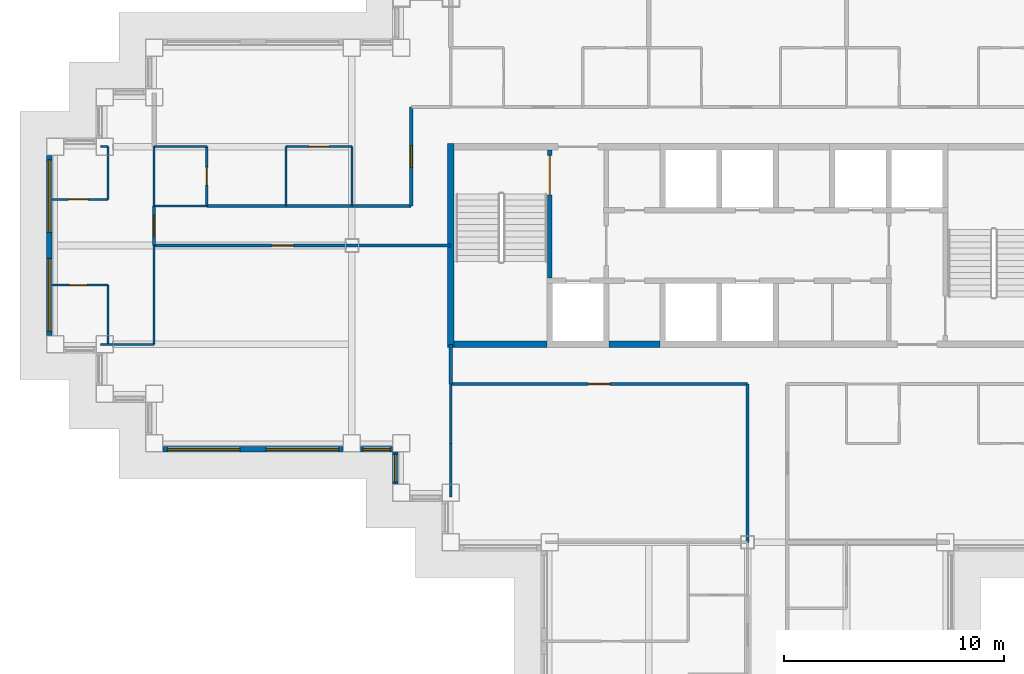
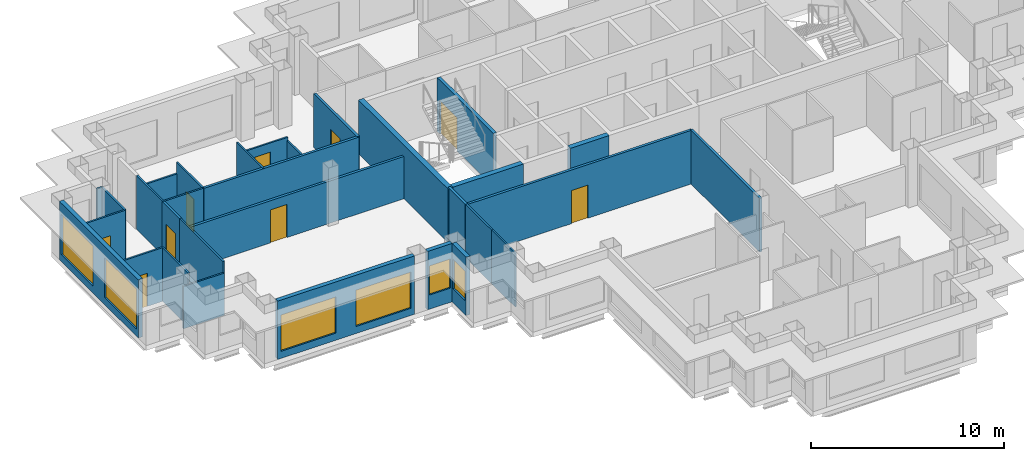
# One storey, part 4 of 13: 31 walls, 9 doors, 6 windows, 15 openings.
"""IFC4 building model written with IfcOpenShell, lengths in metres."""

from ifc_helpers import new_model, si_unit, direction, frame, frame_2d, origin, place, context, subcontext, project, spatial, rectangle, extrude, material, layer, layer_set, type_object, element, fill, save


model = new_model("IFC4")

# Units and contexts
model_context = context("Model", 3, precision=1e-05, world=origin(), true_north=direction((0.0, 1.0)))
body_context = subcontext(model_context, "Body", "Model", "MODEL_VIEW")
ifc_project = project(units=[si_unit("LENGTHUNIT", "METRE"), si_unit("AREAUNIT", "SQUARE_METRE"), si_unit("VOLUMEUNIT", "CUBIC_METRE"), si_unit("PLANEANGLEUNIT", "RADIAN"), si_unit("MASSUNIT", "GRAM", prefix="KILO")], contexts=[model_context])

# Site, building, storey
site_placement = place(None, origin())
site = spatial("IfcSite", under=ifc_project, at=site_placement, CompositionType="ELEMENT")
building_placement = place(site_placement, origin())
building = spatial("IfcBuilding", under=site, at=building_placement, Name="Caravel Reach Hotel and Residences", CompositionType="ELEMENT")
storey_placement = place(building_placement, frame((0.0, 0.0, 158.0)))
storey = spatial("IfcBuildingStorey", under=building, at=storey_placement, Name="L39", CompositionType="ELEMENT", Elevation=158.0)

# Wall, opening, door
ifc_material_1 = material(Name="Gypsum board on steel stud", Category="steel")
ifc_layer_1 = layer(ifc_material_1, 0.10009765625)
ifc_layer_set_1 = layer_set([ifc_layer_1], Name="Bathroom pod wall 100 mm")
wall_type_1 = type_object("IfcWallType", Name="Bathroom pod wall 100 mm", PredefinedType="PARTITIONING", material=ifc_layer_set_1)
wall_1_placement = place(storey_placement, frame((-0.14990234375, 25.199951171875, 0.0), z_axis=(0.0, 0.0, 1.0), x_axis=(1.0, 0.0, 0.0)))
wall_1 = element("IfcWall", 1, at=wall_1_placement, inside=storey, type_object=wall_type_1, Name="L39 wall w086", PredefinedType="PARTITIONING", context=body_context, shape_type="SweptSolid", body=[
    extrude(rectangle(XDim=2.5498046875, YDim=0.10009765625, at=frame_2d((1.27490234375, 0.0))), origin(), (0.0, 0.0, 1.0), 3.39990234375),
])
opening_1_placement = place(wall_1_placement, frame((0.800048828125, 0.0, 0.0)))
opening_1 = element("IfcOpeningElement", 2, at=opening_1_placement, cuts=wall_1, Name="Opening D39-047", PredefinedType="OPENING", context=body_context, shape_type="SweptSolid", body=[
    extrude(rectangle(XDim=0.800048828125, YDim=2.10009765625, at=frame_2d((0.39990234375, 1.050048828125))), frame((0.0, 0.06005859375, 0.0), z_axis=(0.0, -1.0, 0.0), x_axis=(1.0, 0.0, 0.0)), (0.0, 0.0, 1.0), 0.1201171875),
])
ifc_material_2 = material(Name="Timber and steel door leaf", Category="steel")
door_type_1 = type_object("IfcDoorType", Name="Bathroom door 800 x 2100", OperationType="SINGLE_SWING_LEFT", PredefinedType="DOOR", material=ifc_material_2)
door_1_placement = place(opening_1_placement, origin())
door_1 = element("IfcDoor", 3, at=door_1_placement, inside=storey, type_object=door_type_1, Name="door D39-047", OperationType="SINGLE_SWING_RIGHT", OverallHeight=2.10009765625, OverallWidth=0.800048828125, PredefinedType="DOOR", context=body_context, shape_type="SweptSolid", body=[
    extrude(rectangle(XDim=0.800048828125, YDim=2.10009765625, at=frame_2d((0.39990234375, 1.050048828125))), frame((0.0, 0.02490234375, 0.0), z_axis=(0.0, -1.0, 0.0), x_axis=(1.0, 0.0, 0.0)), (0.0, 0.0, 1.0), 0.050048828125),
])
fill(opening_1, door_1)

# Walls
wall_2_placement = place(storey_placement, frame((4.5, 28.800048828125, 0.0), z_axis=(0.0, 0.0, 1.0), x_axis=(1.0, 0.0, 0.0)))
element("IfcWall", 4, at=wall_2_placement, inside=storey, type_object=wall_type_1, Name="L39 wall w087", PredefinedType="PARTITIONING", context=body_context, shape_type="SweptSolid", body=[
    extrude(rectangle(XDim=2.39990234375, YDim=0.10009765625, at=frame_2d((1.199951171875, 0.0))), origin(), (0.0, 0.0, 1.0), 3.39990234375),
])
wall_3_placement = place(storey_placement, frame((4.5, 31.5, 0.0), z_axis=(0.0, 0.0, 1.0), x_axis=(1.0, 0.0, 0.0)))
element("IfcWall", 5, at=wall_3_placement, inside=storey, type_object=wall_type_1, Name="L39 wall w088", PredefinedType="PARTITIONING", context=body_context, shape_type="SweptSolid", body=[
    extrude(rectangle(XDim=2.39990234375, YDim=0.10009765625, at=frame_2d((1.199951171875, 0.0))), origin(), (0.0, 0.0, 1.0), 2.679931640625),
])
for number, where, z_axis, x_axis, name in (
    (6, (2.39990234375, 22.5, 0.0), (0.0, 0.0, 1.0), (0.0, 1.0, 0.0), "L39 wall w098"),
    (7, (4.5, 28.800048828125, 0.0), (0.0, 0.0, 1.0), (0.0, 1.0, 0.0), "L39 wall w110"),
):
    element("IfcWall", number, at=place(storey_placement, frame(where, z_axis=z_axis, x_axis=x_axis)), inside=storey, type_object=wall_type_1, Name=name, PredefinedType="PARTITIONING", context=body_context, shape_type="SweptSolid", body=[
        extrude(rectangle(XDim=2.699951171875, YDim=0.10009765625, at=frame_2d((1.35009765625, 0.0))), origin(), (0.0, 0.0, 1.0), 3.39990234375),
    ])

# Wall, opening, door
wall_4_placement = place(storey_placement, frame((6.89990234375, 28.800048828125, 0.0), z_axis=(0.0, 0.0, 1.0), x_axis=(0.0, 1.0, 0.0)))
wall_4 = element("IfcWall", 8, at=wall_4_placement, inside=storey, type_object=wall_type_1, Name="L39 wall w113", PredefinedType="PARTITIONING", context=body_context, shape_type="SweptSolid", body=[
    extrude(rectangle(XDim=2.699951171875, YDim=0.10009765625, at=frame_2d((1.35009765625, 0.0))), origin(), (0.0, 0.0, 1.0), 3.39990234375),
])
opening_2_placement = place(wall_4_placement, frame((0.949951171875, 0.0, 0.0)))
opening_2 = element("IfcOpeningElement", 9, at=opening_2_placement, cuts=wall_4, Name="Opening D39-027", PredefinedType="OPENING", context=body_context, shape_type="SweptSolid", body=[
    extrude(rectangle(XDim=0.800048828125, YDim=2.10009765625, at=frame_2d((0.39990234375, 1.050048828125))), frame((0.0, 0.06005859375, 0.0), z_axis=(0.0, -1.0, 0.0), x_axis=(1.0, 0.0, 0.0)), (0.0, 0.0, 1.0), 0.1201171875),
])
door_2_placement = place(opening_2_placement, origin())
door_2 = element("IfcDoor", 10, at=door_2_placement, inside=storey, type_object=door_type_1, Name="door D39-027", OperationType="SINGLE_SWING_RIGHT", OverallHeight=2.10009765625, OverallWidth=0.800048828125, PredefinedType="DOOR", context=body_context, shape_type="SweptSolid", body=[
    extrude(rectangle(XDim=0.800048828125, YDim=2.10009765625, at=frame_2d((0.39990234375, 1.050048828125))), frame((0.0, 0.02490234375, 0.0), z_axis=(0.0, -1.0, 0.0), x_axis=(1.0, 0.0, 0.0)), (0.0, 0.0, 1.0), 0.050048828125),
])
fill(opening_2, door_2)

# Walls
ifc_material_3 = material(Name="Concrete C60", Category="concrete")
ifc_layer_2 = layer(ifc_material_3, 0.300048828125)
ifc_layer_set_2 = layer_set([ifc_layer_2], Name="Core wall 300 mm EI 120")
wall_type_2 = type_object("IfcWallType", Name="Core wall 300 mm EI 120", PredefinedType="SHEAR", material=ifc_layer_set_2)
wall_5_placement = place(storey_placement, frame((18.14990234375, 22.5, 0.0), z_axis=(0.0, 0.0, 1.0), x_axis=(1.0, 0.0, 0.0)))
element("IfcWall", 11, at=wall_5_placement, inside=storey, type_object=wall_type_2, Name="L39 core wall S1", PredefinedType="SHEAR", context=body_context, shape_type="SweptSolid", body=[
    extrude(rectangle(XDim=4.22509765625, YDim=0.300048828125, at=frame_2d((2.112548828125, 0.0))), origin(), (0.0, 0.0, 1.0), 3.39990234375),
])
wall_6_placement = place(storey_placement, frame((25.196533203125, 22.5, 0.0), z_axis=(0.0, 0.0, 1.0), x_axis=(1.0, 0.0, 0.0)))
element("IfcWall", 12, at=wall_6_placement, inside=storey, type_object=wall_type_2, Name="L39 core wall S2", PredefinedType="SHEAR", context=body_context, shape_type="SweptSolid", body=[
    extrude(rectangle(XDim=2.3212890625, YDim=0.300048828125, at=frame_2d((1.16064453125, 0.0))), origin(), (0.0, 0.0, 1.0), 3.39990234375),
])
wall_7_placement = place(storey_placement, frame((18.0, 22.35009765625, 0.0), z_axis=(0.0, 0.0, 1.0), x_axis=(0.0, 1.0, 0.0)))
element("IfcWall", 13, at=wall_7_placement, inside=storey, type_object=wall_type_2, Name="L39 core wall W", PredefinedType="SHEAR", context=body_context, shape_type="SweptSolid", body=[
    extrude(rectangle(XDim=9.2998046875, YDim=0.300048828125, at=frame_2d((4.64990234375, 0.0))), origin(), (0.0, 0.0, 1.0), 3.39990234375),
])

# Wall, opening, door
ifc_material_4 = material(Name="Gypsum board on steel stud, fire-rated", Category="steel")
ifc_layer_3 = layer(ifc_material_4, 0.14990234375)
ifc_layer_set_3 = layer_set([ifc_layer_3], Name="Corridor wall 150 mm EI 60")
wall_type_3 = type_object("IfcWallType", Name="Corridor wall 150 mm EI 60", PredefinedType="PARTITIONING", material=ifc_layer_set_3)
wall_8_placement = place(storey_placement, frame((18.0, 20.699951171875, 0.0), z_axis=(0.0, 0.0, 1.0), x_axis=(1.0, 0.0, 0.0)))
wall_8 = element("IfcWall", 14, at=wall_8_placement, inside=storey, type_object=wall_type_3, Name="L39 wall w005", PredefinedType="PARTITIONING", context=body_context, shape_type="SweptSolid", body=[
    extrude(rectangle(XDim=13.5, YDim=0.14990234375, at=frame_2d((6.75, 0.0))), origin(), (0.0, 0.0, 1.0), 3.39990234375),
])
opening_3_placement = place(wall_8_placement, frame((6.25, 0.0, 0.0)))
opening_3 = element("IfcOpeningElement", 15, at=opening_3_placement, cuts=wall_8, Name="Opening D39-035", PredefinedType="OPENING", context=body_context, shape_type="SweptSolid", body=[
    extrude(rectangle(XDim=1.0, YDim=2.10009765625, at=frame_2d((0.5, 1.050048828125))), frame((0.0, 0.0849609375, 0.0), z_axis=(0.0, -1.0, 0.0), x_axis=(1.0, 0.0, 0.0)), (0.0, 0.0, 1.0), 0.169921875),
])
ifc_material_5 = material(Name="Steel fire door leaf", Category="steel")
door_type_2 = type_object("IfcDoorType", Name="Fire door 1000 x 2100 EI 60", OperationType="SINGLE_SWING_LEFT", PredefinedType="DOOR", material=ifc_material_5)
door_3_placement = place(opening_3_placement, origin())
door_3 = element("IfcDoor", 16, at=door_3_placement, inside=storey, type_object=door_type_2, Name="door D39-035", OperationType="SINGLE_SWING_RIGHT", OverallHeight=2.10009765625, OverallWidth=1.0, PredefinedType="DOOR", context=body_context, shape_type="SweptSolid", body=[
    extrude(rectangle(XDim=1.0, YDim=2.10009765625, at=frame_2d((0.5, 1.050048828125))), frame((0.0, 0.02490234375, 0.0), z_axis=(0.0, -1.0, 0.0), x_axis=(1.0, 0.0, 0.0)), (0.0, 0.0, 1.0), 0.050048828125),
])
fill(opening_3, door_3)

wall_9_placement = place(storey_placement, frame((4.5, 27.0, 0.0), z_axis=(0.0, 0.0, 1.0), x_axis=(1.0, 0.0, 0.0)))
wall_9 = element("IfcWall", 17, at=wall_9_placement, inside=storey, type_object=wall_type_3, Name="L39 wall w009", PredefinedType="PARTITIONING", context=body_context, shape_type="SweptSolid", body=[
    extrude(rectangle(XDim=13.5, YDim=0.14990234375, at=frame_2d((6.75, 0.0))), origin(), (0.0, 0.0, 1.0), 2.679931640625),
])
opening_4_placement = place(wall_9_placement, frame((5.35009765625, 0.0, 0.0)))
opening_4 = element("IfcOpeningElement", 18, at=opening_4_placement, cuts=wall_9, Name="Opening D39-029", PredefinedType="OPENING", context=body_context, shape_type="SweptSolid", body=[
    extrude(rectangle(XDim=1.0, YDim=2.10009765625, at=frame_2d((0.5, 1.050048828125))), frame((0.0, 0.0849609375, 0.0), z_axis=(0.0, -1.0, 0.0), x_axis=(1.0, 0.0, 0.0)), (0.0, 0.0, 1.0), 0.169921875),
])
door_4_placement = place(opening_4_placement, origin())
door_4 = element("IfcDoor", 19, at=door_4_placement, inside=storey, type_object=door_type_2, Name="door D39-029", OperationType="SINGLE_SWING_LEFT", OverallHeight=2.10009765625, OverallWidth=1.0, PredefinedType="DOOR", context=body_context, shape_type="SweptSolid", body=[
    extrude(rectangle(XDim=1.0, YDim=2.10009765625, at=frame_2d((0.5, 1.050048828125))), frame((0.0, 0.02490234375, 0.0), z_axis=(0.0, -1.0, 0.0), x_axis=(1.0, 0.0, 0.0)), (0.0, 0.0, 1.0), 0.050048828125),
])
fill(opening_4, door_4)

# Wall
wall_10_placement = place(storey_placement, frame((6.89990234375, 28.800048828125, 0.0), z_axis=(0.0, 0.0, 1.0), x_axis=(1.0, 0.0, 0.0)))
element("IfcWall", 20, at=wall_10_placement, inside=storey, type_object=wall_type_3, Name="L39 wall w011", PredefinedType="PARTITIONING", context=body_context, shape_type="SweptSolid", body=[
    extrude(rectangle(XDim=9.299072265625, YDim=0.14990234375, at=frame_2d((4.6494140625, 0.0))), origin(), (0.0, 0.0, 1.0), 3.39990234375),
])

# Wall, opening, door
wall_11_placement = place(storey_placement, frame((16.199951171875, 28.801025390625, 0.0), z_axis=(0.0, 0.0, 1.0), x_axis=(0.0, 1.0, 0.0)))
wall_11 = element("IfcWall", 21, at=wall_11_placement, inside=storey, type_object=wall_type_3, Name="L39 wall w022", PredefinedType="PARTITIONING", context=body_context, shape_type="SweptSolid", body=[
    extrude(rectangle(XDim=4.4990234375, YDim=0.14990234375, at=frame_2d((2.24951171875, 0.0))), origin(), (0.0, 0.0, 1.0), 3.39990234375),
])
opening_5_placement = place(wall_11_placement, frame((1.74951171875, 0.0, 0.0)))
opening_5 = element("IfcOpeningElement", 22, at=opening_5_placement, cuts=wall_11, Name="Opening D39-026", PredefinedType="OPENING", context=body_context, shape_type="SweptSolid", body=[
    extrude(rectangle(XDim=1.0, YDim=2.199951171875, at=frame_2d((0.5, 1.10009765625))), frame((0.0, 0.0849609375, 0.0), z_axis=(0.0, -1.0, 0.0), x_axis=(1.0, 0.0, 0.0)), (0.0, 0.0, 1.0), 0.169921875),
])
ifc_material_6 = material(Name="Steel fire door leaf", Category="steel")
door_type_3 = type_object("IfcDoorType", Name="Flat entrance door 1000 x 2200 EI 60", OperationType="SINGLE_SWING_LEFT", PredefinedType="DOOR", material=ifc_material_6)
door_5_placement = place(opening_5_placement, origin())
door_5 = element("IfcDoor", 23, at=door_5_placement, inside=storey, type_object=door_type_3, Name="door D39-026", OperationType="SINGLE_SWING_LEFT", OverallHeight=2.199951171875, OverallWidth=1.0, PredefinedType="DOOR", context=body_context, shape_type="SweptSolid", body=[
    extrude(rectangle(XDim=1.0, YDim=2.199951171875, at=frame_2d((0.5, 1.10009765625))), frame((0.0, 0.02490234375, 0.0), z_axis=(0.0, -1.0, 0.0), x_axis=(1.0, 0.0, 0.0)), (0.0, 0.0, 1.0), 0.050048828125),
])
fill(opening_5, door_5)

# Walls
wall_12_placement = place(storey_placement, frame((18.0, 20.699951171875, 0.0), z_axis=(0.0, 0.0, 1.0), x_axis=(0.0, 1.0, 0.0)))
element("IfcWall", 24, at=wall_12_placement, inside=storey, type_object=wall_type_3, Name="L39 wall w023", PredefinedType="PARTITIONING", context=body_context, shape_type="SweptSolid", body=[
    extrude(rectangle(XDim=1.800048828125, YDim=0.14990234375, at=frame_2d((0.89990234375, 0.0))), origin(), (0.0, 0.0, 1.0), 3.39990234375),
])
wall_13_placement = place(storey_placement, frame((31.5, 13.5, 0.0), z_axis=(0.0, 0.0, 1.0), x_axis=(0.0, 1.0, 0.0)))
element("IfcWall", 25, at=wall_13_placement, inside=storey, type_object=wall_type_3, Name="L39 wall w026", PredefinedType="PARTITIONING", context=body_context, shape_type="SweptSolid", body=[
    extrude(rectangle(XDim=7.199951171875, YDim=0.14990234375, at=frame_2d((3.60009765625, 0.0))), origin(), (0.0, 0.0, 1.0), 3.39990234375),
])

# Wall, opening, door
wall_14_placement = place(storey_placement, frame((4.5, 27.0, 0.0), z_axis=(0.0, 0.0, 1.0), x_axis=(0.0, 1.0, 0.0)))
wall_14 = element("IfcWall", 26, at=wall_14_placement, inside=storey, type_object=wall_type_3, Name="L39 wall w030", PredefinedType="PARTITIONING", context=body_context, shape_type="SweptSolid", body=[
    extrude(rectangle(XDim=1.800048828125, YDim=0.14990234375, at=frame_2d((0.89990234375, 0.0))), origin(), (0.0, 0.0, 1.0), 3.39990234375),
])
opening_6_placement = place(wall_14_placement, frame((0.39990234375, 0.0, 0.0)))
opening_6 = element("IfcOpeningElement", 27, at=opening_6_placement, cuts=wall_14, Name="Opening D39-046", PredefinedType="OPENING", context=body_context, shape_type="SweptSolid", body=[
    extrude(rectangle(XDim=1.0, YDim=2.199951171875, at=frame_2d((0.5, 1.10009765625))), frame((0.0, 0.0849609375, 0.0), z_axis=(0.0, -1.0, 0.0), x_axis=(1.0, 0.0, 0.0)), (0.0, 0.0, 1.0), 0.169921875),
])
door_6_placement = place(opening_6_placement, origin())
door_6 = element("IfcDoor", 28, at=door_6_placement, inside=storey, type_object=door_type_3, Name="door D39-046", OperationType="SINGLE_SWING_RIGHT", OverallHeight=2.199951171875, OverallWidth=1.0, PredefinedType="DOOR", context=body_context, shape_type="SweptSolid", body=[
    extrude(rectangle(XDim=1.0, YDim=2.199951171875, at=frame_2d((0.5, 1.10009765625))), frame((0.0, 0.02490234375, 0.0), z_axis=(0.0, -1.0, 0.0), x_axis=(1.0, 0.0, 0.0)), (0.0, 0.0, 1.0), 0.050048828125),
])
fill(opening_6, door_6)

# Wall, openings, windows
ifc_material_7 = material(Name="Insulated rainscreen wall, aluminium cladding", Category="aluminium")
ifc_layer_4 = layer(ifc_material_7, 0.25)
ifc_layer_set_4 = layer_set([ifc_layer_4], Name="EW1 Tower rainscreen wall")
wall_type_4 = type_object("IfcWallType", Name="EW1 Tower rainscreen wall", PredefinedType="SOLIDWALL", material=ifc_layer_set_4)
wall_15_placement = place(storey_placement, frame((-0.27490234375, 31.10009765625, 0.0), z_axis=(0.0, 0.0, 1.0), x_axis=(0.0, -1.0, 0.0)))
wall_15 = element("IfcWall", 29, at=wall_15_placement, inside=storey, type_object=wall_type_4, Name="External wall L39 W38.1", PredefinedType="SOLIDWALL", context=body_context, shape_type="SweptSolid", body=[
    extrude(rectangle(XDim=8.2001953125, YDim=0.25, at=frame_2d((4.10009765625, 0.0))), origin(), (0.0, 0.0, 1.0), 3.699951171875),
])
opening_7_placement = place(wall_15_placement, frame((0.199951171875, 0.0, 0.449951171875)))
opening_7 = element("IfcOpeningElement", 30, at=opening_7_placement, cuts=wall_15, Name="Opening WN14", PredefinedType="OPENING", context=body_context, shape_type="SweptSolid", body=[
    extrude(rectangle(XDim=3.300048828125, YDim=2.530029296875, at=frame_2d((1.64990234375, 1.26513671875))), frame((0.0, 0.135009765625, 0.0), z_axis=(0.0, -1.0, 0.0), x_axis=(1.0, 0.0, 0.0)), (0.0, 0.0, 1.0), 0.27001953125),
])
opening_8_placement = place(wall_15_placement, frame((4.699951171875, 0.0, 0.449951171875)))
opening_8 = element("IfcOpeningElement", 31, at=opening_8_placement, cuts=wall_15, Name="Opening WN14", PredefinedType="OPENING", context=body_context, shape_type="SweptSolid", body=[
    extrude(rectangle(XDim=3.300048828125, YDim=2.530029296875, at=frame_2d((1.64990234375, 1.26513671875))), frame((0.0, 0.135009765625, 0.0), z_axis=(0.0, -1.0, 0.0), x_axis=(1.0, 0.0, 0.0)), (0.0, 0.0, 1.0), 0.27001953125),
])
ifc_material_8 = material(Name="Dark low-e glazing in black aluminium frame", Category="aluminium")
window_type_1 = type_object("IfcWindowType", Name="Residence living window 3300 x 2530", PartitioningType="SINGLE_PANEL", PredefinedType="WINDOW", material=ifc_material_8)
window_1_placement = place(opening_7_placement, origin())
window_1 = element("IfcWindow", 32, at=window_1_placement, inside=storey, type_object=window_type_1, Name="Window L39 W38.1.1", OverallHeight=2.530029296875, OverallWidth=3.300048828125, PartitioningType="SINGLE_PANEL", PredefinedType="WINDOW", context=body_context, shape_type="SweptSolid", body=[
    extrude(rectangle(XDim=3.300048828125, YDim=2.530029296875, at=frame_2d((1.64990234375, 1.26513671875))), frame((0.0, 0.030029296875, 0.0), z_axis=(0.0, -1.0, 0.0), x_axis=(1.0, 0.0, 0.0)), (0.0, 0.0, 1.0), 0.06005859375),
])
fill(opening_7, window_1)
window_2_placement = place(opening_8_placement, origin())
window_2 = element("IfcWindow", 33, at=window_2_placement, inside=storey, type_object=window_type_1, Name="Window L39 W38.1.2", OverallHeight=2.530029296875, OverallWidth=3.300048828125, PartitioningType="SINGLE_PANEL", PredefinedType="WINDOW", context=body_context, shape_type="SweptSolid", body=[
    extrude(rectangle(XDim=3.300048828125, YDim=2.530029296875, at=frame_2d((1.64990234375, 1.26513671875))), frame((0.0, 0.030029296875, 0.0), z_axis=(0.0, -1.0, 0.0), x_axis=(1.0, 0.0, 0.0)), (0.0, 0.0, 1.0), 0.06005859375),
])
fill(opening_8, window_2)

wall_16_placement = place(storey_placement, frame((4.89990234375, 17.72509765625, 0.0), z_axis=(0.0, 0.0, 1.0), x_axis=(1.0, 0.0, 0.0)))
wall_16 = element("IfcWall", 34, at=wall_16_placement, inside=storey, type_object=wall_type_4, Name="External wall L39 S43.1", PredefinedType="SOLIDWALL", context=body_context, shape_type="SweptSolid", body=[
    extrude(rectangle(XDim=8.2001953125, YDim=0.25, at=frame_2d((4.10009765625, 0.0))), origin(), (0.0, 0.0, 1.0), 3.699951171875),
])
opening_9_placement = place(wall_16_placement, frame((0.199951171875, 0.0, 0.449951171875)))
opening_9 = element("IfcOpeningElement", 35, at=opening_9_placement, cuts=wall_16, Name="Opening WN15", PredefinedType="OPENING", context=body_context, shape_type="SweptSolid", body=[
    extrude(rectangle(XDim=3.300048828125, YDim=2.300048828125, at=frame_2d((1.64990234375, 1.14990234375))), frame((0.0, 0.135009765625, 0.0), z_axis=(0.0, -1.0, 0.0), x_axis=(1.0, 0.0, 0.0)), (0.0, 0.0, 1.0), 0.27001953125),
])
opening_10_placement = place(wall_16_placement, frame((4.699951171875, 0.0, 0.449951171875)))
opening_10 = element("IfcOpeningElement", 36, at=opening_10_placement, cuts=wall_16, Name="Opening WN15", PredefinedType="OPENING", context=body_context, shape_type="SweptSolid", body=[
    extrude(rectangle(XDim=3.300048828125, YDim=2.300048828125, at=frame_2d((1.64990234375, 1.14990234375))), frame((0.0, 0.135009765625, 0.0), z_axis=(0.0, -1.0, 0.0), x_axis=(1.0, 0.0, 0.0)), (0.0, 0.0, 1.0), 0.27001953125),
])
ifc_material_9 = material(Name="Dark low-e glazing in black aluminium frame", Category="aluminium")
window_type_2 = type_object("IfcWindowType", Name="Residence living window 3300 x 2300", PartitioningType="SINGLE_PANEL", PredefinedType="WINDOW", material=ifc_material_9)
window_3_placement = place(opening_9_placement, origin())
window_3 = element("IfcWindow", 37, at=window_3_placement, inside=storey, type_object=window_type_2, Name="Window L39 S43.1.1", OverallHeight=2.300048828125, OverallWidth=3.300048828125, PartitioningType="SINGLE_PANEL", PredefinedType="WINDOW", context=body_context, shape_type="SweptSolid", body=[
    extrude(rectangle(XDim=3.300048828125, YDim=2.300048828125, at=frame_2d((1.64990234375, 1.14990234375))), frame((0.0, 0.030029296875, 0.0), z_axis=(0.0, -1.0, 0.0), x_axis=(1.0, 0.0, 0.0)), (0.0, 0.0, 1.0), 0.06005859375),
])
fill(opening_9, window_3)
window_4_placement = place(opening_10_placement, origin())
window_4 = element("IfcWindow", 38, at=window_4_placement, inside=storey, type_object=window_type_2, Name="Window L39 S43.1.2", OverallHeight=2.300048828125, OverallWidth=3.300048828125, PartitioningType="SINGLE_PANEL", PredefinedType="WINDOW", context=body_context, shape_type="SweptSolid", body=[
    extrude(rectangle(XDim=3.300048828125, YDim=2.300048828125, at=frame_2d((1.64990234375, 1.14990234375))), frame((0.0, 0.030029296875, 0.0), z_axis=(0.0, -1.0, 0.0), x_axis=(1.0, 0.0, 0.0)), (0.0, 0.0, 1.0), 0.06005859375),
])
fill(opening_10, window_4)

# Wall, opening, window
wall_17_placement = place(storey_placement, frame((13.89990234375, 17.72509765625, 0.0), z_axis=(0.0, 0.0, 1.0), x_axis=(1.0, 0.0, 0.0)))
wall_17 = element("IfcWall", 39, at=wall_17_placement, inside=storey, type_object=wall_type_4, Name="External wall L39 S43.2", PredefinedType="SOLIDWALL", context=body_context, shape_type="SweptSolid", body=[
    extrude(rectangle(XDim=1.4501953125, YDim=0.25, at=frame_2d((0.72509765625, 0.0))), origin(), (0.0, 0.0, 1.0), 3.699951171875),
])
opening_11_placement = place(wall_17_placement, frame((0.10009765625, 0.0, 0.89990234375)))
opening_11 = element("IfcOpeningElement", 40, at=opening_11_placement, cuts=wall_17, Name="Opening WN13", PredefinedType="OPENING", context=body_context, shape_type="SweptSolid", body=[
    extrude(rectangle(XDim=1.25, YDim=1.85009765625, at=frame_2d((0.625, 0.925048828125))), frame((0.0, 0.135009765625, 0.0), z_axis=(0.0, -1.0, 0.0), x_axis=(1.0, 0.0, 0.0)), (0.0, 0.0, 1.0), 0.27001953125),
])
ifc_material_10 = material(Name="Dark low-e glazing in black aluminium frame", Category="aluminium")
window_type_3 = type_object("IfcWindowType", Name="Residence bedroom window 1250 x 1850", PartitioningType="SINGLE_PANEL", PredefinedType="WINDOW", material=ifc_material_10)
window_5_placement = place(opening_11_placement, origin())
window_5 = element("IfcWindow", 41, at=window_5_placement, inside=storey, type_object=window_type_3, Name="Window L39 S43.2.1", OverallHeight=1.85009765625, OverallWidth=1.25, PartitioningType="SINGLE_PANEL", PredefinedType="WINDOW", context=body_context, shape_type="SweptSolid", body=[
    extrude(rectangle(XDim=1.25, YDim=1.85009765625, at=frame_2d((0.625, 0.925048828125))), frame((0.0, 0.030029296875, 0.0), z_axis=(0.0, -1.0, 0.0), x_axis=(1.0, 0.0, 0.0)), (0.0, 0.0, 1.0), 0.06005859375),
])
fill(opening_11, window_5)

wall_18_placement = place(storey_placement, frame((15.47509765625, 17.60009765625, 0.0), z_axis=(0.0, 0.0, 1.0), x_axis=(0.0, -1.0, 0.0)))
wall_18 = element("IfcWall", 42, at=wall_18_placement, inside=storey, type_object=wall_type_4, Name="External wall L39 W44.1", PredefinedType="SOLIDWALL", context=body_context, shape_type="SweptSolid", body=[
    extrude(rectangle(XDim=1.4501953125, YDim=0.25, at=frame_2d((0.72509765625, 0.0))), origin(), (0.0, 0.0, 1.0), 3.699951171875),
])
opening_12_placement = place(wall_18_placement, frame((0.10009765625, 0.0, 0.89990234375)))
opening_12 = element("IfcOpeningElement", 43, at=opening_12_placement, cuts=wall_18, Name="Opening WN13", PredefinedType="OPENING", context=body_context, shape_type="SweptSolid", body=[
    extrude(rectangle(XDim=1.25, YDim=1.85009765625, at=frame_2d((0.625, 0.925048828125))), frame((0.0, 0.135009765625, 0.0), z_axis=(0.0, -1.0, 0.0), x_axis=(1.0, 0.0, 0.0)), (0.0, 0.0, 1.0), 0.27001953125),
])
window_6_placement = place(opening_12_placement, origin())
window_6 = element("IfcWindow", 44, at=window_6_placement, inside=storey, type_object=window_type_3, Name="Window L39 W44.1.1", OverallHeight=1.85009765625, OverallWidth=1.25, PartitioningType="SINGLE_PANEL", PredefinedType="WINDOW", context=body_context, shape_type="SweptSolid", body=[
    extrude(rectangle(XDim=1.25, YDim=1.85009765625, at=frame_2d((0.625, 0.925048828125))), frame((0.0, 0.030029296875, 0.0), z_axis=(0.0, -1.0, 0.0), x_axis=(1.0, 0.0, 0.0)), (0.0, 0.0, 1.0), 0.06005859375),
])
fill(opening_12, window_6)

# Wall
ifc_material_11 = material(Name="Gypsum board on steel stud", Category="steel")
ifc_layer_5 = layer(ifc_material_11, 0.10009765625)
ifc_layer_set_5 = layer_set([ifc_layer_5], Name="Partition 100 mm")
wall_type_5 = type_object("IfcWallType", Name="Partition 100 mm", PredefinedType="PARTITIONING", material=ifc_layer_set_5)
wall_19_placement = place(storey_placement, frame((2.06005859375, 22.5, 0.0), z_axis=(0.0, 0.0, 1.0), x_axis=(1.0, 0.0, 0.0)))
element("IfcWall", 45, at=wall_19_placement, inside=storey, type_object=wall_type_5, Name="L39 wall w039", PredefinedType="PARTITIONING", context=body_context, shape_type="SweptSolid", body=[
    extrude(rectangle(XDim=2.43896484375, YDim=0.10009765625, at=frame_2d((1.219482421875, 0.0))), origin(), (0.0, 0.0, 1.0), 2.679931640625),
])

# Wall, opening, door
wall_20_placement = place(storey_placement, frame((-0.14990234375, 29.10009765625, 0.0), z_axis=(0.0, 0.0, 1.0), x_axis=(1.0, 0.0, 0.0)))
wall_20 = element("IfcWall", 46, at=wall_20_placement, inside=storey, type_object=wall_type_5, Name="L39 wall w040", PredefinedType="PARTITIONING", context=body_context, shape_type="SweptSolid", body=[
    extrude(rectangle(XDim=2.5498046875, YDim=0.10009765625, at=frame_2d((1.27490234375, 0.0))), origin(), (0.0, 0.0, 1.0), 3.39990234375),
])
opening_13_placement = place(wall_20_placement, frame((0.75, 0.0, 0.0)))
opening_13 = element("IfcOpeningElement", 47, at=opening_13_placement, cuts=wall_20, Name="Opening D39-048", PredefinedType="OPENING", context=body_context, shape_type="SweptSolid", body=[
    extrude(rectangle(XDim=0.89990234375, YDim=2.10009765625, at=frame_2d((0.449951171875, 1.050048828125))), frame((0.0, 0.06005859375, 0.0), z_axis=(0.0, -1.0, 0.0), x_axis=(1.0, 0.0, 0.0)), (0.0, 0.0, 1.0), 0.1201171875),
])
ifc_material_12 = material(Name="Timber and steel door leaf", Category="steel")
door_type_4 = type_object("IfcDoorType", Name="Door 900 x 2100 timber", OperationType="SINGLE_SWING_LEFT", PredefinedType="DOOR", material=ifc_material_12)
door_7_placement = place(opening_13_placement, origin())
door_7 = element("IfcDoor", 48, at=door_7_placement, inside=storey, type_object=door_type_4, Name="door D39-048", OperationType="SINGLE_SWING_RIGHT", OverallHeight=2.10009765625, OverallWidth=0.89990234375, PredefinedType="DOOR", context=body_context, shape_type="SweptSolid", body=[
    extrude(rectangle(XDim=0.89990234375, YDim=2.10009765625, at=frame_2d((0.449951171875, 1.050048828125))), frame((0.0, 0.02490234375, 0.0), z_axis=(0.0, -1.0, 0.0), x_axis=(1.0, 0.0, 0.0)), (0.0, 0.0, 1.0), 0.050048828125),
])
fill(opening_13, door_7)

wall_21_placement = place(storey_placement, frame((10.5, 31.5, 0.0), z_axis=(0.0, 0.0, 1.0), x_axis=(1.0, 0.0, 0.0)))
wall_21 = element("IfcWall", 49, at=wall_21_placement, inside=storey, type_object=wall_type_5, Name="L39 wall w042", PredefinedType="PARTITIONING", context=body_context, shape_type="SweptSolid", body=[
    extrude(rectangle(XDim=3.0, YDim=0.10009765625, at=frame_2d((1.5, 0.0))), origin(), (0.0, 0.0, 1.0), 2.679931640625),
])
opening_14_placement = place(wall_21_placement, frame((1.050048828125, 0.0, 0.0)))
opening_14 = element("IfcOpeningElement", 50, at=opening_14_placement, cuts=wall_21, Name="Opening D39-028", PredefinedType="OPENING", context=body_context, shape_type="SweptSolid", body=[
    extrude(rectangle(XDim=0.89990234375, YDim=2.10009765625, at=frame_2d((0.449951171875, 1.050048828125))), frame((0.0, 0.06005859375, 0.0), z_axis=(0.0, -1.0, 0.0), x_axis=(1.0, 0.0, 0.0)), (0.0, 0.0, 1.0), 0.1201171875),
])
door_8_placement = place(opening_14_placement, origin())
door_8 = element("IfcDoor", 51, at=door_8_placement, inside=storey, type_object=door_type_4, Name="door D39-028", OperationType="SINGLE_SWING_LEFT", OverallHeight=2.10009765625, OverallWidth=0.89990234375, PredefinedType="DOOR", context=body_context, shape_type="SweptSolid", body=[
    extrude(rectangle(XDim=0.89990234375, YDim=2.10009765625, at=frame_2d((0.449951171875, 1.050048828125))), frame((0.0, 0.02490234375, 0.0), z_axis=(0.0, -1.0, 0.0), x_axis=(1.0, 0.0, 0.0)), (0.0, 0.0, 1.0), 0.050048828125),
])
fill(opening_14, door_8)

# Walls
wall_22_placement = place(storey_placement, frame((2.06005859375, 31.5, 0.0), z_axis=(0.0, 0.0, 1.0), x_axis=(1.0, 0.0, 0.0)))
element("IfcWall", 52, at=wall_22_placement, inside=storey, type_object=wall_type_5, Name="L39 wall w043", PredefinedType="PARTITIONING", context=body_context, shape_type="SweptSolid", body=[
    extrude(rectangle(XDim=0.33984375, YDim=0.10009765625, at=frame_2d((0.169921875, 0.0))), origin(), (0.0, 0.0, 1.0), 3.39990234375),
])
wall_23_placement = place(storey_placement, frame((10.5, 28.800048828125, 0.0), z_axis=(0.0, 0.0, 1.0), x_axis=(0.0, 1.0, 0.0)))
element("IfcWall", 53, at=wall_23_placement, inside=storey, type_object=wall_type_5, Name="L39 wall w053", PredefinedType="PARTITIONING", context=body_context, shape_type="SweptSolid", body=[
    extrude(rectangle(XDim=2.699951171875, YDim=0.10009765625, at=frame_2d((1.35009765625, 0.0))), origin(), (0.0, 0.0, 1.0), 3.39990234375),
])
wall_24_placement = place(storey_placement, frame((13.5, 28.801025390625, 0.0), z_axis=(0.0, 0.0, 1.0), x_axis=(0.0, 1.0, 0.0)))
element("IfcWall", 54, at=wall_24_placement, inside=storey, type_object=wall_type_5, Name="L39 wall w054", PredefinedType="PARTITIONING", context=body_context, shape_type="SweptSolid", body=[
    extrude(rectangle(XDim=2.698974609375, YDim=0.10009765625, at=frame_2d((1.349609375, 0.0))), origin(), (0.0, 0.0, 1.0), 2.47998046875),
])
wall_25_placement = place(storey_placement, frame((18.0, 15.56005859375, 0.0), z_axis=(0.0, 0.0, 1.0), x_axis=(0.0, 1.0, 0.0)))
element("IfcWall", 55, at=wall_25_placement, inside=storey, type_object=wall_type_5, Name="L39 wall w055", PredefinedType="PARTITIONING", context=body_context, shape_type="SweptSolid", body=[
    extrude(rectangle(XDim=2.43896484375, YDim=0.10009765625, at=frame_2d((1.219482421875, 0.0))), origin(), (0.0, 0.0, 1.0), 3.39990234375),
])
wall_26_placement = place(storey_placement, frame((18.0, 18.0, 0.0), z_axis=(0.0, 0.0, 1.0), x_axis=(0.0, 1.0, 0.0)))
element("IfcWall", 56, at=wall_26_placement, inside=storey, type_object=wall_type_5, Name="L39 wall w056", PredefinedType="PARTITIONING", context=body_context, shape_type="SweptSolid", body=[
    extrude(rectangle(XDim=2.699951171875, YDim=0.10009765625, at=frame_2d((1.35009765625, 0.0))), origin(), (0.0, 0.0, 1.0), 3.39990234375),
])
wall_27_placement = place(storey_placement, frame((2.39990234375, 29.10009765625, 0.0), z_axis=(0.0, 0.0, 1.0), x_axis=(0.0, 1.0, 0.0)))
element("IfcWall", 57, at=wall_27_placement, inside=storey, type_object=wall_type_5, Name="L39 wall w057", PredefinedType="PARTITIONING", context=body_context, shape_type="SweptSolid", body=[
    extrude(rectangle(XDim=2.39990234375, YDim=0.10009765625, at=frame_2d((1.199951171875, 0.0))), origin(), (0.0, 0.0, 1.0), 3.39990234375),
])
wall_28_placement = place(storey_placement, frame((4.5, 22.5, 0.0), z_axis=(0.0, 0.0, 1.0), x_axis=(0.0, 1.0, 0.0)))
element("IfcWall", 58, at=wall_28_placement, inside=storey, type_object=wall_type_5, Name="L39 wall w063", PredefinedType="PARTITIONING", context=body_context, shape_type="SweptSolid", body=[
    extrude(rectangle(XDim=4.5, YDim=0.10009765625, at=frame_2d((2.25, 0.0))), origin(), (0.0, 0.0, 1.0), 3.39990234375),
])

# Wall, opening, door
ifc_material_13 = material(Name="Concrete C60", Category="concrete")
ifc_layer_6 = layer(ifc_material_13, 0.199951171875)
ifc_layer_set_6 = layer_set([ifc_layer_6], Name="Stair enclosure wall 200 mm EI 120")
wall_type_6 = type_object("IfcWallType", Name="Stair enclosure wall 200 mm EI 120", PredefinedType="SHEAR", material=ifc_layer_set_6)
wall_29_placement = place(storey_placement, frame((22.5, 31.35009765625, 0.0), z_axis=(0.0, 0.0, 1.0), x_axis=(0.0, -1.0, 0.0)))
wall_29 = element("IfcWall", 59, at=wall_29_placement, inside=storey, type_object=wall_type_6, Name="L39 stair A wall", PredefinedType="SHEAR", context=body_context, shape_type="SweptSolid", body=[
    extrude(rectangle(XDim=5.8251953125, YDim=0.199951171875, at=frame_2d((2.91259765625, 0.0))), origin(), (0.0, 0.0, 1.0), 3.39990234375),
])
opening_15_placement = place(wall_29_placement, frame((0.25, 0.0, 0.0)))
opening_15 = element("IfcOpeningElement", 60, at=opening_15_placement, cuts=wall_29, Name="Opening D39-011", PredefinedType="OPENING", context=body_context, shape_type="SweptSolid", body=[
    extrude(rectangle(XDim=1.800048828125, YDim=2.10009765625, at=frame_2d((0.89990234375, 1.050048828125))), frame((0.0, 0.10986328125, 0.0), z_axis=(0.0, -1.0, 0.0), x_axis=(1.0, 0.0, 0.0)), (0.0, 0.0, 1.0), 0.219970703125),
])
ifc_material_14 = material(Name="Steel fire door leaf", Category="steel")
door_type_5 = type_object("IfcDoorType", Name="Stair door pair 1800 x 2100 EI 90", OperationType="DOUBLE_DOOR_SINGLE_SWING", PredefinedType="DOOR", material=ifc_material_14)
door_9_placement = place(opening_15_placement, origin())
door_9 = element("IfcDoor", 61, at=door_9_placement, inside=storey, type_object=door_type_5, Name="stair A door pair", OperationType="DOUBLE_DOOR_SINGLE_SWING", OverallHeight=2.10009765625, OverallWidth=1.800048828125, PredefinedType="DOOR", context=body_context, shape_type="SweptSolid", body=[
    extrude(rectangle(XDim=1.800048828125, YDim=2.10009765625, at=frame_2d((0.89990234375, 1.050048828125))), frame((0.0, 0.02490234375, 0.0), z_axis=(0.0, -1.0, 0.0), x_axis=(1.0, 0.0, 0.0)), (0.0, 0.0, 1.0), 0.050048828125),
])
fill(opening_15, door_9)

save(model, "model.ifc")
